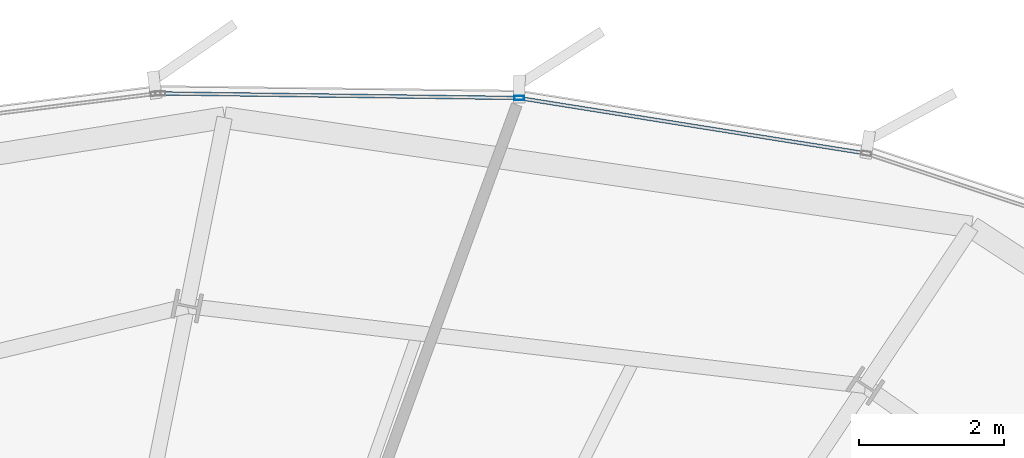
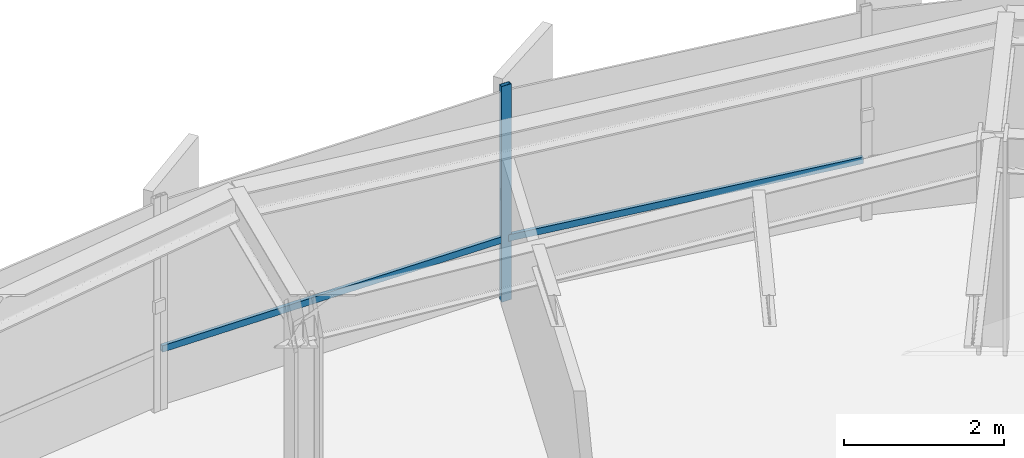
# One storey, part 27 of 36: 3 members, 1 element without a shape of its own.
"""IFC4 building model written with IfcOpenShell, lengths in metres."""

from ifc_helpers import new_model, si_unit, direction, frame, origin, origin_2d, place, context, subcontext, project, spatial, hollow_rectangle, extrude, source, transform, mapped, material, layer, layer_set, material_profile, profile_set, type_object, element, aggregate, save


model = new_model("IFC4")

# Units and contexts
model_context = context("Model", 3, precision=1e-05, world=origin(), true_north=direction((0.0, 1.0)))
body_context = subcontext(model_context, "Body", "Model", "MODEL_VIEW")
ifc_project = project(units=[si_unit("LENGTHUNIT", "METRE"), si_unit("AREAUNIT", "SQUARE_METRE"), si_unit("VOLUMEUNIT", "CUBIC_METRE"), si_unit("PLANEANGLEUNIT", "RADIAN"), si_unit("MASSUNIT", "GRAM", prefix="KILO"), si_unit("THERMODYNAMICTEMPERATUREUNIT", "KELVIN")], contexts=[model_context])

# Site, building, storey
site_placement = place(None, origin())
site = spatial("IfcSite", under=ifc_project, at=site_placement, CompositionType="ELEMENT")
building_placement = place(site_placement, origin())
building = spatial("IfcBuilding", under=site, at=building_placement, Name="Kethvar Cultural Tower", CompositionType="ELEMENT")
storey_placement = place(building_placement, frame((0.0, 0.0, 143.0)))
storey = spatial("IfcBuildingStorey", under=building, at=storey_placement, Name="L36", CompositionType="ELEMENT", Elevation=143.0)

# Curtain wall, members
ifc_material = material(Name="Aluminium 6063-T6", Category="aluminium")
ifc_layer = layer(ifc_material, 0.179931640625, Name="Aluminium 6063-T6", Category="aluminium")
ifc_layer_set = layer_set([ifc_layer], Name="Aluminium 6063-T6 (180 mm)")
curtain_wall_type = type_object("IfcCurtainWallType", Name="CW-SYS-04-Z34", PredefinedType="NOTDEFINED", material=ifc_layer_set)
curtain_wall_placement = place(storey_placement, origin())
curtain_wall = element("IfcCurtainWall", 1, at=curtain_wall_placement, inside=storey, type_object=curtain_wall_type, Name="L36 Curtain Wall Run 01", PredefinedType="NOTDEFINED")
ifc_material_profile_1 = material_profile(ifc_material, hollow_rectangle(XDim=0.06005859375, YDim=0.139892578125, WallThickness=0.0048828125, at=origin_2d()), Name="Aluminium 6063-T6 — RHS140x60x5")
ifc_profile_set_1 = profile_set([ifc_material_profile_1], Name="Aluminium 6063-T6 — RHS140x60x5")
member_type_1 = type_object("IfcMemberType", Name="CW-SYS-04-Z34-MUL", PredefinedType="MULLION", material=ifc_profile_set_1)
shared_shape_1 = source(origin(), body_context, "Body", "SweptSolid", [
    extrude(hollow_rectangle(XDim=0.06005859375, YDim=0.139892578125, WallThickness=0.0048828125, at=origin_2d()), origin(), (0.0, 0.0, 1.0), 3.300048828125),
])
member_1_placement = place(storey_placement, frame((55.6396484375, 52.123046875, 0.0), z_axis=(0.0, 0.0, 1.0), x_axis=(-0.012792914446, -0.999918167322, 0.0)))
member_1 = element("IfcMember", 2, at=member_1_placement, type_object=member_type_1, Name="CW-L36-R01 Mullion 6", PredefinedType="MULLION", context=body_context, shape_type="MappedRepresentation", body=[
    mapped(shared_shape_1, transform((0.0, 0.0, 0.0), scale=1.0)),
])
ifc_material_profile_2 = material_profile(ifc_material, hollow_rectangle(XDim=0.050048828125, YDim=0.10009765625, WallThickness=0.00390625, at=origin_2d()), Name="Aluminium 6063-T6 — RHS100x50x4")
ifc_profile_set_2 = profile_set([ifc_material_profile_2], Name="Aluminium 6063-T6 — RHS100x50x4")
member_type_2 = type_object("IfcMemberType", Name="CW-SYS-04-Z34-TRN", PredefinedType="USERDEFINED", material=ifc_profile_set_2)
shared_shape_2 = source(origin(), body_context, "Body", "SweptSolid", [
    extrude(hollow_rectangle(XDim=0.050048828125, YDim=0.10009765625, WallThickness=0.00390625, at=origin_2d()), origin(), (0.0, 0.0, 1.0), 4.766357421875),
])
member_2_placement = place(storey_placement, frame((60.373291015625, 51.36669921875, 0.949951171875), z_axis=(-0.987509579498, 0.157558974352, 0.0), x_axis=(-0.157558974352, -0.987509579498, 0.0)))
member_2 = element("IfcMember", 3, at=member_2_placement, type_object=member_type_2, Name="CW-L36-R01 Transom 5", ObjectType="TRANSOM", PredefinedType="USERDEFINED", context=body_context, shape_type="MappedRepresentation", body=[
    mapped(shared_shape_2, transform((0.0, 0.0, 0.0), scale=1.0)),
])
shared_shape_3 = source(origin(), body_context, "Body", "SweptSolid", [
    extrude(hollow_rectangle(XDim=0.050048828125, YDim=0.10009765625, WallThickness=0.00390625, at=origin_2d()), origin(), (0.0, 0.0, 1.0), 4.893798828125),
])
member_3_placement = place(storey_placement, frame((55.596435546875, 52.123779296875, 0.949951171875), z_axis=(-0.999918441102, 0.012771497327, 0.0), x_axis=(-0.012771497327, -0.999918441102, 0.0)))
member_3 = element("IfcMember", 4, at=member_3_placement, type_object=member_type_2, Name="CW-L36-R01 Transom 6", ObjectType="TRANSOM", PredefinedType="USERDEFINED", context=body_context, shape_type="MappedRepresentation", body=[
    mapped(shared_shape_3, transform((0.0, 0.0, 0.0), scale=1.0)),
])
aggregate(curtain_wall, [member_1, member_2, member_3])

save(model, "model.ifc")
